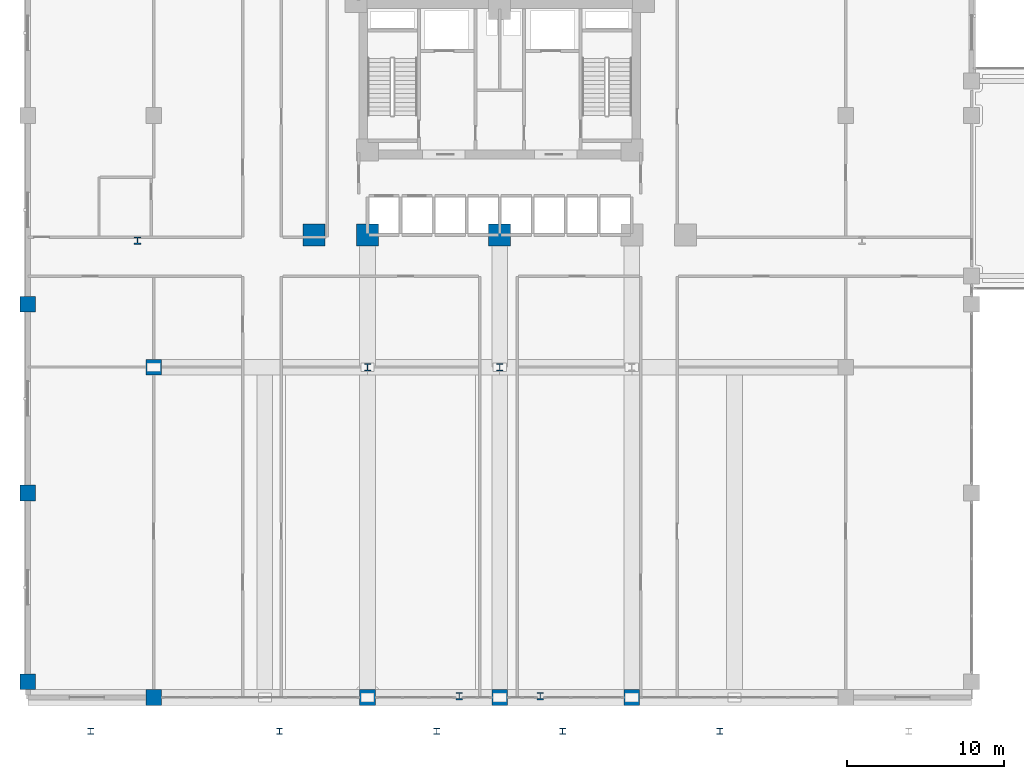
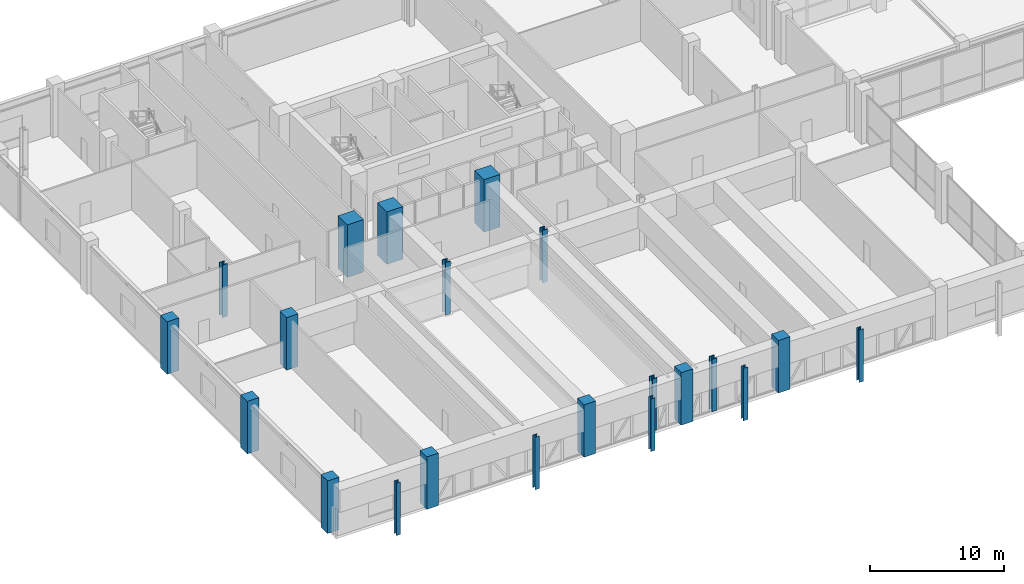
# One storey, part 1 of 44: 21 columns.
"""IFC4 building model written with IfcOpenShell, lengths in metres."""

from ifc_helpers import new_model, si_unit, derived_unit, direction, frame, origin, origin_2d, place, context, subcontext, project, spatial, rectangle, i_section, extrude, source, transform, mapped, material, material_profile, profile_set, type_object, element, save


model = new_model("IFC4")

# Units and contexts
model_context = context("Model", 3, precision=1e-05, world=origin(), true_north=direction((0.0, 1.0)))
body_context = subcontext(model_context, "Body", "Model", "MODEL_VIEW")
ifc_project = project(units=[si_unit("LENGTHUNIT", "METRE"), si_unit("AREAUNIT", "SQUARE_METRE"), si_unit("VOLUMEUNIT", "CUBIC_METRE"), si_unit("PLANEANGLEUNIT", "RADIAN"), si_unit("MASSUNIT", "GRAM", prefix="KILO"), derived_unit("THERMALTRANSMITTANCEUNIT", [(si_unit("POWERUNIT", "WATT"), 1), (si_unit("LENGTHUNIT", "METRE"), -2), (si_unit("THERMODYNAMICTEMPERATUREUNIT", "KELVIN"), -1)])], contexts=[model_context])

# Site, building, storey
site_placement = place(None, origin())
site = spatial("IfcSite", under=ifc_project, at=site_placement, CompositionType="ELEMENT")
building_placement = place(site_placement, origin())
building = spatial("IfcBuilding", under=site, at=building_placement, Name="Korsvarv Bourse and Concert Hall", CompositionType="ELEMENT")
storey_placement = place(building_placement, frame((0.0, 0.0, 9.60009765625)))
storey = spatial("IfcBuildingStorey", under=building, at=storey_placement, Name="L02", CompositionType="ELEMENT", Elevation=9.60009765625)

# Columns
ifc_material_1 = material(Name="Concrete C60/75", Category="concrete")
ifc_material_profile_1 = material_profile(ifc_material_1, rectangle(XDim=1.39990234375, YDim=1.39990234375, at=origin_2d()), Name="RC 1400x1400")
ifc_profile_set_1 = profile_set([ifc_material_profile_1], Name="Concrete C60/75")
column_type_1 = type_object("IfcColumnType", Name="COL-RC1400", PredefinedType="COLUMN", material=ifc_profile_set_1)
shared_shape_1 = source(origin(), body_context, "Body", "SweptSolid", [
    extrude(rectangle(XDim=1.39990234375, YDim=1.39990234375, at=origin_2d()), origin(), (0.0, 0.0, 1.0), 4.7998046875),
])
for number, where, z_axis, x_axis, name in (
    (1, (27.60009765625, 32.39990234375, 0.0), (0.0, 0.0, 1.0), (1.0, 0.0, 0.0), "L02 column C-01"),
    (2, (36.0, 32.39990234375, 0.0), (0.0, 0.0, 1.0), (1.0, 0.0, 0.0), "L02 column C-01"),
    (3, (24.199951171875, 32.39990234375, 0.0), (0.0, 0.0, 1.0), (1.0, 0.0, 0.0), "L02 column C-01"),
):
    element("IfcColumn", number, at=place(storey_placement, frame(where, z_axis=z_axis, x_axis=x_axis)), inside=storey, type_object=column_type_1, Name=name, PredefinedType="COLUMN", context=body_context, shape_type="MappedRepresentation", body=[
        mapped(shared_shape_1, transform((0.0, 0.0, 0.0), scale=1.0)),
    ])
ifc_material_2 = material(Name="Steel S460", Category="steel")
ifc_material_profile_2 = material_profile(ifc_material_2, i_section(OverallWidth=0.424072265625, OverallDepth=0.47412109375, WebThickness=0.044921875, FlangeThickness=0.072021484375, FilletRadius=0.014892578125, at=origin_2d()), Name="HD 400x634")
ifc_profile_set_2 = profile_set([ifc_material_profile_2], Name="Steel S460")
column_type_2 = type_object("IfcColumnType", Name="COL-HD634", PredefinedType="COLUMN", material=ifc_profile_set_2)
shared_shape_2 = source(origin(), body_context, "Body", "SweptSolid", [
    extrude(i_section(OverallWidth=0.424072265625, OverallDepth=0.47412109375, WebThickness=0.044921875, FlangeThickness=0.072021484375, FilletRadius=0.014892578125, at=origin_2d()), origin(), (0.0, 0.0, 1.0), 4.7998046875),
])
for number, where, z_axis, x_axis, name in (
    (4, (27.60009765625, 24.0, 0.0), (0.0, 0.0, 1.0), (1.0, 0.0, 0.0), "L02 column C-07"),
    (5, (36.0, 24.0, 0.0), (0.0, 0.0, 1.0), (1.0, 0.0, 0.0), "L02 column C-07"),
    (6, (12.970458984375, 32.05419921875, 0.0), (0.0, 0.0, 1.0), (1.0, 0.0, 0.0), "L02 column C-07"),
    (7, (33.418212890625, 3.09375, 0.0), (0.0, 0.0, 1.0), (1.0, 0.0, 0.0), "L02 column C-07"),
    (8, (38.581787109375, 3.09375, 0.0), (0.0, 0.0, 1.0), (1.0, 0.0, 0.0), "L02 column C-07"),
):
    element("IfcColumn", number, at=place(storey_placement, frame(where, z_axis=z_axis, x_axis=x_axis)), inside=storey, type_object=column_type_2, Name=name, PredefinedType="COLUMN", context=body_context, shape_type="MappedRepresentation", body=[
        mapped(shared_shape_2, transform((0.0, 0.0, 0.0), scale=1.0)),
    ])
ifc_material_3 = material(Name="Concrete C55/67", Category="concrete")
ifc_material_profile_3 = material_profile(ifc_material_3, rectangle(XDim=1.0, YDim=1.0, at=origin_2d()), Name="RC 1000x1000")
ifc_profile_set_3 = profile_set([ifc_material_profile_3], Name="Concrete C55/67")
column_type_3 = type_object("IfcColumnType", Name="COL-RC1000", PredefinedType="COLUMN", material=ifc_profile_set_3)
shared_shape_3 = source(origin(), body_context, "Body", "SweptSolid", [
    extrude(rectangle(XDim=1.0, YDim=1.0, at=origin_2d()), origin(), (0.0, 0.0, 1.0), 4.7998046875),
])
for number, where, z_axis, x_axis, name in (
    (9, (6.0, 4.0, 0.0), (0.0, 0.0, 1.0), (1.0, 0.0, 0.0), "L02 column C-03"),
    (10, (6.0, 16.0, 0.0), (0.0, 0.0, 1.0), (1.0, 0.0, 0.0), "L02 column C-03"),
    (11, (6.0, 28.0, 0.0), (0.0, 0.0, 1.0), (1.0, 0.0, 0.0), "L02 column C-03"),
    (12, (14.0, 3.0, 0.0), (0.0, 0.0, 1.0), (1.0, 0.0, 0.0), "L02 column C-03"),
    (13, (27.60009765625, 3.0, 0.0), (0.0, 0.0, 1.0), (1.0, 0.0, 0.0), "L02 column C-03"),
    (14, (36.0, 3.0, 0.0), (0.0, 0.0, 1.0), (1.0, 0.0, 0.0), "L02 column C-03"),
    (15, (44.39990234375, 3.0, 0.0), (0.0, 0.0, 1.0), (1.0, 0.0, 0.0), "L02 column C-03"),
    (16, (14.0, 24.0, 0.0), (0.0, 0.0, 1.0), (1.0, 0.0, 0.0), "L02 column C-03"),
):
    element("IfcColumn", number, at=place(storey_placement, frame(where, z_axis=z_axis, x_axis=x_axis)), inside=storey, type_object=column_type_3, Name=name, PredefinedType="COLUMN", context=body_context, shape_type="MappedRepresentation", body=[
        mapped(shared_shape_3, transform((0.0, 0.0, 0.0), scale=1.0)),
    ])
ifc_material_4 = material(Name="Steel S355", Category="steel")
ifc_material_profile_4 = material_profile(ifc_material_4, i_section(OverallWidth=0.3740234375, OverallDepth=0.3798828125, WebThickness=0.01953125, FlangeThickness=0.031005859375, FilletRadius=0.014892578125, at=origin_2d()), Name="HD 360x262")
ifc_profile_set_4 = profile_set([ifc_material_profile_4], Name="Steel S355")
column_type_4 = type_object("IfcColumnType", Name="COL-PIL360", PredefinedType="PILASTER", material=ifc_profile_set_4)
shared_shape_4 = source(origin(), body_context, "Body", "SweptSolid", [
    extrude(i_section(OverallWidth=0.3740234375, OverallDepth=0.3798828125, WebThickness=0.01953125, FlangeThickness=0.031005859375, FilletRadius=0.014892578125, at=origin_2d()), origin(), (0.0, 0.0, 1.0), 4.7998046875),
])
for number, where, z_axis, x_axis, name in (
    (17, (10.0, 0.85009765625, 0.0), (0.0, 0.0, 1.0), (1.0, 0.0, 0.0), "L02 column C-12"),
    (18, (22.0, 0.85009765625, 0.0), (0.0, 0.0, 1.0), (1.0, 0.0, 0.0), "L02 column C-12"),
    (19, (32.0, 0.85009765625, 0.0), (0.0, 0.0, 1.0), (1.0, 0.0, 0.0), "L02 column C-12"),
    (20, (40.0, 0.85009765625, 0.0), (0.0, 0.0, 1.0), (1.0, 0.0, 0.0), "L02 column C-12"),
    (21, (50.0, 0.85009765625, 0.0), (0.0, 0.0, 1.0), (1.0, 0.0, 0.0), "L02 column C-12"),
):
    element("IfcColumn", number, at=place(storey_placement, frame(where, z_axis=z_axis, x_axis=x_axis)), inside=storey, type_object=column_type_4, Name=name, PredefinedType="PILASTER", context=body_context, shape_type="MappedRepresentation", body=[
        mapped(shared_shape_4, transform((0.0, 0.0, 0.0), scale=1.0)),
    ])

save(model, "model.ifc")
